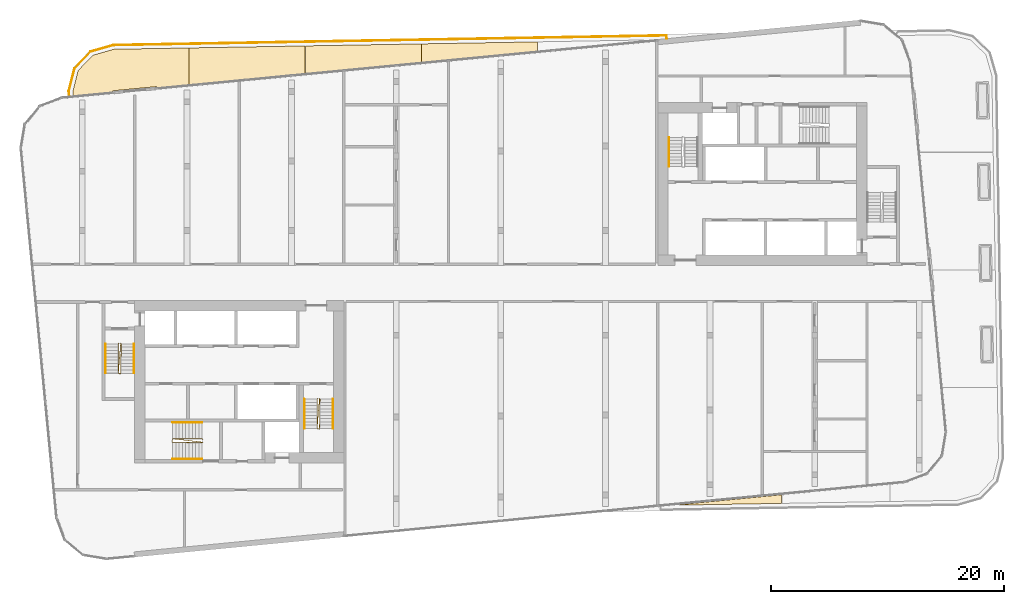
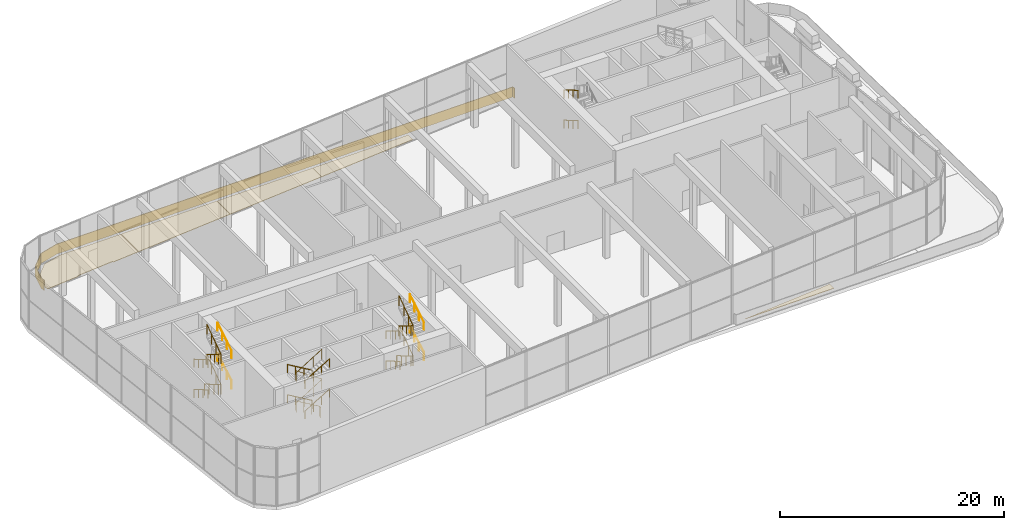
# One storey, part 22 of 24: 18 railings, 5 coverings.
"""IFC4 building model written with IfcOpenShell, lengths in metres."""

from ifc_helpers import new_model, si_unit, direction, frame, origin, origin_2d, place, context, subcontext, project, spatial, polyline, circle, outline, extrude, material, layer, layer_set, type_object, element, save


model = new_model("IFC4")

# Units and contexts
model_context = context("Model", 3, precision=1e-05, world=origin(), true_north=direction((0.0, 1.0)))
body_context = subcontext(model_context, "Body", "Model", "MODEL_VIEW")
ifc_project = project(units=[si_unit("LENGTHUNIT", "METRE"), si_unit("AREAUNIT", "SQUARE_METRE"), si_unit("VOLUMEUNIT", "CUBIC_METRE"), si_unit("PLANEANGLEUNIT", "RADIAN"), si_unit("MASSUNIT", "GRAM", prefix="KILO")], contexts=[model_context])

# Site, building, storey
site_placement = place(None, origin())
site = spatial("IfcSite", under=ifc_project, at=site_placement, CompositionType="ELEMENT")
building_placement = place(site_placement, origin())
building = spatial("IfcBuilding", under=site, at=building_placement, Name="Kajstack Hotel Tower", CompositionType="ELEMENT")
storey_placement = place(building_placement, frame((0.0, 0.0, 261.89990234375)))
storey = spatial("IfcBuildingStorey", under=building, at=storey_placement, Name="L65", CompositionType="ELEMENT", Elevation=261.89990234375)

# Railing
ifc_material_1 = material(Name="Steel S355J2", Category="steel")
railing_type_1 = type_object("IfcRailingType", Name="BALUSTRADE-TERRACE", PredefinedType="BALUSTRADE", material=ifc_material_1)
railing_1_placement = place(storey_placement, frame((-37.120849609375, 16.0625, 0.0)))
element("IfcRailing", 1, at=railing_1_placement, inside=storey, type_object=railing_type_1, Name="Terrace guard L65-01-01", PredefinedType="BALUSTRADE", context=body_context, shape_type="SweptSolid", body=[
    extrude(outline(polyline([(-0.071044921875, 0.42529296875), (0.42138671875, 2.40087890625), (1.826171875, 3.85546875), (3.781982421875, 4.41650390625), (51.388671875, 5.247314453125), (51.4169921875, 4.950927734375), (51.357421875, 4.945068359375), (51.333984375, 5.186279296875), (3.790771484375, 4.3564453125), (1.8583984375, 3.80224609375), (0.4755859375, 2.37060546875), (-0.010498046875, 0.4208984375), (0.02978515625, 0.0029296875), (-0.02978515625, -0.0029296875), (-0.071044921875, 0.42529296875)])), origin(), (0.0, 0.0, 1.0), 1.10009765625),
])

# Coverings
ifc_material_2 = material(Name="Timber larch", Category="wood")
ifc_layer = layer(ifc_material_2, 0.050048828125)
ifc_layer_set = layer_set([ifc_layer], Name="DECK-LARCH")
covering_type = type_object("IfcCoveringType", Name="DECK-LARCH", PredefinedType="FLOORING", material=ifc_layer_set)
covering_1_placement = place(storey_placement, origin())
element("IfcCovering", 2, at=covering_1_placement, inside=storey, type_object=covering_type, Name="Larch decking L65-01-01", PredefinedType="FLOORING", context=body_context, shape_type="SweptSolid", body=[
    extrude(outline(polyline([(-29.608642578125, 16.785888671875), (-26.824462890625, 17.05419921875), (-26.824462890625, 20.21240234375), (-33.2822265625, 20.099853515625), (-35.092041015625, 19.580810546875), (-36.35546875, 18.2724609375), (-36.79736328125, 16.49951171875), (-36.79736328125, 16.35546875), (-36.7734375, 16.106201171875), (-36.668701171875, 16.106201171875), (-33.39111328125, 16.421875), (-33.40087890625, 16.521240234375), (-29.6181640625, 16.885498046875), (-29.608642578125, 16.785888671875)])), origin(), (0.0, 0.0, 1.0), 0.050048828125),
])
covering_2_placement = place(storey_placement, origin())
element("IfcCovering", 3, at=covering_2_placement, inside=storey, type_object=covering_type, Name="Larch decking L65-01-02", PredefinedType="FLOORING", context=body_context, shape_type="SweptSolid", body=[
    extrude(outline(polyline([(-26.804443359375, 20.212890625), (-26.804443359375, 17.055908203125), (-16.831298828125, 18.016357421875), (-16.831298828125, 20.386962890625), (-26.804443359375, 20.212890625)])), origin(), (0.0, 0.0, 1.0), 0.050048828125),
])
covering_3_placement = place(storey_placement, origin())
element("IfcCovering", 4, at=covering_3_placement, inside=storey, type_object=covering_type, Name="Larch decking L65-01-03", PredefinedType="FLOORING", context=body_context, shape_type="SweptSolid", body=[
    extrude(outline(polyline([(-16.811279296875, 20.38720703125), (-16.811279296875, 18.018310546875), (-6.83837890625, 18.978515625), (-6.83837890625, 20.561279296875), (-16.811279296875, 20.38720703125)])), origin(), (0.0, 0.0, 1.0), 0.050048828125),
])
covering_4_placement = place(storey_placement, origin())
element("IfcCovering", 5, at=covering_4_placement, inside=storey, type_object=covering_type, Name="Larch decking L65-01-04", PredefinedType="FLOORING", context=body_context, shape_type="SweptSolid", body=[
    extrude(outline(polyline([(-6.818359375, 20.561767578125), (-6.818359375, 18.98046875), (3.15478515625, 19.94091796875), (3.15478515625, 20.73583984375), (-6.818359375, 20.561767578125)])), origin(), (0.0, 0.0, 1.0), 0.050048828125),
])
covering_5_placement = place(storey_placement, origin())
element("IfcCovering", 6, at=covering_5_placement, inside=storey, type_object=covering_type, Name="Larch decking L65-02-01", PredefinedType="FLOORING", context=body_context, shape_type="SweptSolid", body=[
    extrude(outline(polyline([(24.14697265625, -18.9638671875), (24.14697265625, -18.22314453125), (14.866943359375, -19.116455078125), (15.403076171875, -19.116455078125), (24.14697265625, -18.9638671875)])), origin(), (0.0, 0.0, 1.0), 0.050048828125),
])

# Railings
railing_type_2 = type_object("IfcRailingType", Name="Stair guard 1100", PredefinedType="GUARDRAIL", material=ifc_material_1)
railing_2_placement = place(storey_placement, frame((-32.85009765625, -5.199951171875, 0.0)))
element("IfcRailing", 7, at=railing_2_placement, inside=storey, type_object=railing_type_2, Name="L65 W1 stair guard 1", PredefinedType="GUARDRAIL", context=body_context, shape_type="SweptSolid", body=[
    extrude(circle(Radius=0.02392578125, at=origin_2d()), frame((0.0, 0.0, 1.076171875), z_axis=(-0.277450376394, -0.278810427259, 0.919394384522), x_axis=(0.708833529934, -0.705375805398, 0.0)), (0.0, 0.0, 1.0), 0.179443359375),
    extrude(circle(Radius=0.02392578125, at=origin_2d()), frame((-0.0498046875, -0.050048828125, 1.2412109375), z_axis=(0.0, -0.86152411907, 0.507716645641), x_axis=(1.0, 0.0, 0.0)), (0.0, 0.0, 1.0), 2.925048828125),
    extrude(circle(Radius=0.02392578125, at=origin_2d()), frame((-0.0498046875, -2.570068359375, 2.72607421875), z_axis=(0.970072785993, -0.242814311512, 0.0), x_axis=(0.242814311512, 0.970072785993, 0.0)), (0.0, 0.0, 1.0), 0.2060546875),
    extrude(circle(Radius=0.02392578125, at=origin_2d()), frame((0.150146484375, -2.6201171875, 2.72607421875), z_axis=(0.016385308676, 0.841405582595, 0.540155687962), x_axis=(-0.999810440751, 0.019470042781, 0.0)), (0.0, 0.0, 1.0), 3.054443359375),
    extrude(circle(Radius=0.02392578125, at=origin_2d()), frame((0.2001953125, -0.050048828125, 4.3759765625), z_axis=(-0.707106781187, 0.707106781187, 0.0), x_axis=(-0.707106781187, -0.707106781187, 0.0)), (0.0, 0.0, 1.0), 0.07080078125),
    extrude(circle(Radius=0.02392578125, at=origin_2d()), frame((0.150146484375, 0.0, 4.3759765625), z_axis=(-0.065327422454, -0.839684708398, 0.53913070619), x_axis=(0.996987254287, -0.077565551559, 0.0)), (0.0, 0.0, 1.0), 3.060791015625),
    extrude(circle(Radius=0.02392578125, at=origin_2d()), frame((-0.0498046875, -2.570068359375, 6.0263671875), z_axis=(0.970072785993, -0.242814311512, 0.0), x_axis=(0.242814311512, 0.970072785993, 0.0)), (0.0, 0.0, 1.0), 0.2060546875),
    extrude(circle(Radius=0.02392578125, at=origin_2d()), frame((0.150146484375, -2.6201171875, 6.0263671875), z_axis=(0.016385308676, 0.841405582595, 0.540155687962), x_axis=(-0.999810440751, 0.019470042781, 0.0)), (0.0, 0.0, 1.0), 3.054443359375),
    extrude(circle(Radius=0.02099609375, at=origin_2d()), origin(), (0.0, 0.0, 1.0), 1.052001953125),
    extrude(circle(Radius=0.02099609375, at=origin_2d()), frame((-0.0498046875, -0.050048828125, 0.1650390625)), (0.0, 0.0, 1.0), 1.052001953125),
    extrude(circle(Radius=0.02099609375, at=origin_2d()), frame((-0.0498046875, -0.89013671875, 0.66015625)), (0.0, 0.0, 1.0), 1.052001953125),
    extrude(circle(Radius=0.02099609375, at=origin_2d()), frame((-0.0498046875, -1.72998046875, 1.155029296875)), (0.0, 0.0, 1.0), 1.052001953125),
    extrude(circle(Radius=0.02099609375, at=origin_2d()), frame((-0.0498046875, -2.570068359375, 1.650146484375)), (0.0, 0.0, 1.0), 1.052001953125),
    extrude(circle(Radius=0.02099609375, at=origin_2d()), frame((0.150146484375, -2.6201171875, 1.650146484375)), (0.0, 0.0, 1.0), 1.052001953125),
    extrude(circle(Radius=0.02099609375, at=origin_2d()), frame((0.166748046875, -1.763427734375, 2.2001953125)), (0.0, 0.0, 1.0), 1.052001953125),
    extrude(circle(Radius=0.02099609375, at=origin_2d()), frame((0.18359375, -0.90673828125, 2.75)), (0.0, 0.0, 1.0), 1.052001953125),
    extrude(circle(Radius=0.02099609375, at=origin_2d()), frame((0.2001953125, -0.050048828125, 3.300048828125)), (0.0, 0.0, 1.0), 1.052001953125),
    extrude(circle(Radius=0.02099609375, at=origin_2d()), frame((0.150146484375, 0.0, 3.300048828125)), (0.0, 0.0, 1.0), 1.052001953125),
    extrude(circle(Radius=0.02099609375, at=origin_2d()), frame((0.08349609375, -0.856689453125, 3.85009765625)), (0.0, 0.0, 1.0), 1.052001953125),
    extrude(circle(Radius=0.02099609375, at=origin_2d()), frame((0.016845703125, -1.71337890625, 4.400146484375)), (0.0, 0.0, 1.0), 1.052001953125),
    extrude(circle(Radius=0.02099609375, at=origin_2d()), frame((-0.0498046875, -2.570068359375, 4.9501953125)), (0.0, 0.0, 1.0), 1.052001953125),
    extrude(circle(Radius=0.02099609375, at=origin_2d()), frame((0.150146484375, -2.6201171875, 4.9501953125)), (0.0, 0.0, 1.0), 1.052001953125),
    extrude(circle(Radius=0.02099609375, at=origin_2d()), frame((0.166748046875, -1.763427734375, 5.500244140625)), (0.0, 0.0, 1.0), 1.052001953125),
    extrude(circle(Radius=0.02099609375, at=origin_2d()), frame((0.18359375, -0.90673828125, 6.050048828125)), (0.0, 0.0, 1.0), 1.052001953125),
    extrude(circle(Radius=0.02099609375, at=origin_2d()), frame((0.2001953125, -0.050048828125, 6.60009765625)), (0.0, 0.0, 1.0), 1.052001953125),
])
railing_3_placement = place(storey_placement, frame((-15.75, -9.949951171875, 0.0)))
element("IfcRailing", 8, at=railing_3_placement, inside=storey, type_object=railing_type_2, Name="L65 W2 stair guard 1", PredefinedType="GUARDRAIL", context=body_context, shape_type="SweptSolid", body=[
    extrude(circle(Radius=0.02392578125, at=origin_2d()), frame((0.0, 0.0, 1.076171875), z_axis=(-0.278705021027, -0.278705021027, 0.919046801044), x_axis=(0.707106781187, -0.707106781187, 0.0)), (0.0, 0.0, 1.0), 0.1796875),
    extrude(circle(Radius=0.02392578125, at=origin_2d()), frame((-0.050048828125, -0.050048828125, 1.2412109375), z_axis=(0.0, -0.86152411907, 0.507716645641), x_axis=(1.0, 0.0, 0.0)), (0.0, 0.0, 1.0), 2.925048828125),
    extrude(circle(Radius=0.02392578125, at=origin_2d()), frame((-0.050048828125, -2.570068359375, 2.72607421875), z_axis=(0.970072785993, -0.242814311512, 0.0), x_axis=(0.242814311512, 0.970072785993, 0.0)), (0.0, 0.0, 1.0), 0.2060546875),
    extrude(circle(Radius=0.02392578125, at=origin_2d()), frame((0.14990234375, -2.6201171875, 2.72607421875), z_axis=(0.016385308676, 0.841405582595, 0.540155687962), x_axis=(-0.999810440751, 0.019470042781, 0.0)), (0.0, 0.0, 1.0), 3.054443359375),
    extrude(circle(Radius=0.02392578125, at=origin_2d()), frame((0.199951171875, -0.050048828125, 4.3759765625), z_axis=(-0.707106781187, 0.707106781187, 0.0), x_axis=(-0.707106781187, -0.707106781187, 0.0)), (0.0, 0.0, 1.0), 0.07080078125),
    extrude(circle(Radius=0.02392578125, at=origin_2d()), frame((0.14990234375, 0.0, 4.3759765625), z_axis=(-0.065327422454, -0.839684708398, 0.53913070619), x_axis=(0.996987254287, -0.077565551559, 0.0)), (0.0, 0.0, 1.0), 3.060791015625),
    extrude(circle(Radius=0.02392578125, at=origin_2d()), frame((-0.050048828125, -2.570068359375, 6.0263671875), z_axis=(0.970072785993, -0.242814311512, 0.0), x_axis=(0.242814311512, 0.970072785993, 0.0)), (0.0, 0.0, 1.0), 0.2060546875),
    extrude(circle(Radius=0.02392578125, at=origin_2d()), frame((0.14990234375, -2.6201171875, 6.0263671875), z_axis=(0.016385308676, 0.841405582595, 0.540155687962), x_axis=(-0.999810440751, 0.019470042781, 0.0)), (0.0, 0.0, 1.0), 3.054443359375),
    extrude(circle(Radius=0.02099609375, at=origin_2d()), origin(), (0.0, 0.0, 1.0), 1.052001953125),
    extrude(circle(Radius=0.02099609375, at=origin_2d()), frame((-0.050048828125, -0.050048828125, 0.1650390625)), (0.0, 0.0, 1.0), 1.052001953125),
    extrude(circle(Radius=0.02099609375, at=origin_2d()), frame((-0.050048828125, -0.89013671875, 0.66015625)), (0.0, 0.0, 1.0), 1.052001953125),
    extrude(circle(Radius=0.02099609375, at=origin_2d()), frame((-0.050048828125, -1.72998046875, 1.155029296875)), (0.0, 0.0, 1.0), 1.052001953125),
    extrude(circle(Radius=0.02099609375, at=origin_2d()), frame((-0.050048828125, -2.570068359375, 1.650146484375)), (0.0, 0.0, 1.0), 1.052001953125),
    extrude(circle(Radius=0.02099609375, at=origin_2d()), frame((0.14990234375, -2.6201171875, 1.650146484375)), (0.0, 0.0, 1.0), 1.052001953125),
    extrude(circle(Radius=0.02099609375, at=origin_2d()), frame((0.16650390625, -1.763427734375, 2.2001953125)), (0.0, 0.0, 1.0), 1.052001953125),
    extrude(circle(Radius=0.02099609375, at=origin_2d()), frame((0.183349609375, -0.90673828125, 2.75)), (0.0, 0.0, 1.0), 1.052001953125),
    extrude(circle(Radius=0.02099609375, at=origin_2d()), frame((0.199951171875, -0.050048828125, 3.300048828125)), (0.0, 0.0, 1.0), 1.052001953125),
    extrude(circle(Radius=0.02099609375, at=origin_2d()), frame((0.14990234375, 0.0, 3.300048828125)), (0.0, 0.0, 1.0), 1.052001953125),
    extrude(circle(Radius=0.02099609375, at=origin_2d()), frame((0.083251953125, -0.856689453125, 3.85009765625)), (0.0, 0.0, 1.0), 1.052001953125),
    extrude(circle(Radius=0.02099609375, at=origin_2d()), frame((0.0166015625, -1.71337890625, 4.400146484375)), (0.0, 0.0, 1.0), 1.052001953125),
    extrude(circle(Radius=0.02099609375, at=origin_2d()), frame((-0.050048828125, -2.570068359375, 4.9501953125)), (0.0, 0.0, 1.0), 1.052001953125),
    extrude(circle(Radius=0.02099609375, at=origin_2d()), frame((0.14990234375, -2.6201171875, 4.9501953125)), (0.0, 0.0, 1.0), 1.052001953125),
    extrude(circle(Radius=0.02099609375, at=origin_2d()), frame((0.16650390625, -1.763427734375, 5.500244140625)), (0.0, 0.0, 1.0), 1.052001953125),
    extrude(circle(Radius=0.02099609375, at=origin_2d()), frame((0.183349609375, -0.90673828125, 6.050048828125)), (0.0, 0.0, 1.0), 1.052001953125),
    extrude(circle(Radius=0.02099609375, at=origin_2d()), frame((0.199951171875, -0.050048828125, 6.60009765625)), (0.0, 0.0, 1.0), 1.052001953125),
])
railing_4_placement = place(storey_placement, frame((-25.64990234375, -13.449951171875, 0.0)))
element("IfcRailing", 9, at=railing_4_placement, inside=storey, type_object=railing_type_2, Name="L65 W3 stair guard 1", PredefinedType="GUARDRAIL", context=body_context, shape_type="SweptSolid", body=[
    extrude(circle(Radius=0.02392578125, at=origin_2d()), frame((0.0, 0.0, 1.076171875), z_axis=(-0.278705021027, 0.278705021027, 0.919046801044), x_axis=(-0.707106781187, -0.707106781187, 0.0)), (0.0, 0.0, 1.0), 0.1796875),
    extrude(circle(Radius=0.02392578125, at=origin_2d()), frame((-0.050048828125, 0.050048828125, 1.2412109375), z_axis=(-0.86152411907, 0.0, 0.507716645641), x_axis=(0.0, -1.0, 0.0)), (0.0, 0.0, 1.0), 2.925048828125),
    extrude(circle(Radius=0.02392578125, at=origin_2d()), frame((-2.570068359375, 0.050048828125, 2.72607421875), z_axis=(-0.164529134168, -0.986372223864, 0.0), x_axis=(0.986372223864, -0.164529134168, 0.0)), (0.0, 0.0, 1.0), 0.30419921875),
    extrude(circle(Radius=0.02392578125, at=origin_2d()), frame((-2.6201171875, -0.25, 2.72607421875), z_axis=(0.841405582595, -0.016385308676, 0.540155687962), x_axis=(0.019470042781, 0.999810440751, 0.0)), (0.0, 0.0, 1.0), 3.054443359375),
    extrude(circle(Radius=0.02392578125, at=origin_2d()), frame((-0.050048828125, -0.300048828125, 4.3759765625), z_axis=(0.707106781187, 0.707106781187, 0.0), x_axis=(-0.707106781187, 0.707106781187, 0.0)), (0.0, 0.0, 1.0), 0.07080078125),
    extrude(circle(Radius=0.02392578125, at=origin_2d()), frame((0.0, -0.25, 4.3759765625), z_axis=(-0.837450686566, 0.097770199847, 0.537696322837), x_axis=(-0.115959822279, -0.993253904909, 0.0)), (0.0, 0.0, 1.0), 3.06884765625),
    extrude(circle(Radius=0.02392578125, at=origin_2d()), frame((-2.570068359375, 0.050048828125, 6.0263671875), z_axis=(-0.164529134168, -0.986372223864, 0.0), x_axis=(0.986372223864, -0.164529134168, 0.0)), (0.0, 0.0, 1.0), 0.30419921875),
    extrude(circle(Radius=0.02392578125, at=origin_2d()), frame((-2.6201171875, -0.25, 6.0263671875), z_axis=(0.841405582595, -0.016385308676, 0.540155687962), x_axis=(0.019470042781, 0.999810440751, 0.0)), (0.0, 0.0, 1.0), 3.054443359375),
    extrude(circle(Radius=0.02099609375, at=origin_2d()), origin(), (0.0, 0.0, 1.0), 1.052001953125),
    extrude(circle(Radius=0.02099609375, at=origin_2d()), frame((-0.050048828125, 0.050048828125, 0.1650390625)), (0.0, 0.0, 1.0), 1.052001953125),
    extrude(circle(Radius=0.02099609375, at=origin_2d()), frame((-0.89013671875, 0.050048828125, 0.66015625)), (0.0, 0.0, 1.0), 1.052001953125),
    extrude(circle(Radius=0.02099609375, at=origin_2d()), frame((-1.72998046875, 0.050048828125, 1.155029296875)), (0.0, 0.0, 1.0), 1.052001953125),
    extrude(circle(Radius=0.02099609375, at=origin_2d()), frame((-2.570068359375, 0.050048828125, 1.650146484375)), (0.0, 0.0, 1.0), 1.052001953125),
    extrude(circle(Radius=0.02099609375, at=origin_2d()), frame((-2.6201171875, -0.25, 1.650146484375)), (0.0, 0.0, 1.0), 1.052001953125),
    extrude(circle(Radius=0.02099609375, at=origin_2d()), frame((-1.763427734375, -0.2666015625, 2.2001953125)), (0.0, 0.0, 1.0), 1.052001953125),
    extrude(circle(Radius=0.02099609375, at=origin_2d()), frame((-0.90673828125, -0.283447265625, 2.75)), (0.0, 0.0, 1.0), 1.052001953125),
    extrude(circle(Radius=0.02099609375, at=origin_2d()), frame((-0.050048828125, -0.300048828125, 3.300048828125)), (0.0, 0.0, 1.0), 1.052001953125),
    extrude(circle(Radius=0.02099609375, at=origin_2d()), frame((0.0, -0.25, 3.300048828125)), (0.0, 0.0, 1.0), 1.052001953125),
    extrude(circle(Radius=0.02099609375, at=origin_2d()), frame((-0.856689453125, -0.14990234375, 3.85009765625)), (0.0, 0.0, 1.0), 1.052001953125),
    extrude(circle(Radius=0.02099609375, at=origin_2d()), frame((-1.71337890625, -0.050048828125, 4.400146484375)), (0.0, 0.0, 1.0), 1.052001953125),
    extrude(circle(Radius=0.02099609375, at=origin_2d()), frame((-2.570068359375, 0.050048828125, 4.9501953125)), (0.0, 0.0, 1.0), 1.052001953125),
    extrude(circle(Radius=0.02099609375, at=origin_2d()), frame((-2.6201171875, -0.25, 4.9501953125)), (0.0, 0.0, 1.0), 1.052001953125),
    extrude(circle(Radius=0.02099609375, at=origin_2d()), frame((-1.763427734375, -0.2666015625, 5.500244140625)), (0.0, 0.0, 1.0), 1.052001953125),
    extrude(circle(Radius=0.02099609375, at=origin_2d()), frame((-0.90673828125, -0.283447265625, 6.050048828125)), (0.0, 0.0, 1.0), 1.052001953125),
    extrude(circle(Radius=0.02099609375, at=origin_2d()), frame((-0.050048828125, -0.300048828125, 6.60009765625)), (0.0, 0.0, 1.0), 1.052001953125),
])
railing_type_3 = type_object("IfcRailingType", Name="Stair handrail 900", PredefinedType="HANDRAIL", material=ifc_material_1)
railing_5_placement = place(storey_placement, frame((-34.0, -5.25, 0.1650390625)))
element("IfcRailing", 10, at=railing_5_placement, inside=storey, type_object=railing_type_3, Name="L65 W1 stair handrail 1", PredefinedType="HANDRAIL", context=body_context, shape_type="SweptSolid", body=[
    extrude(circle(Radius=0.02392578125, at=origin_2d()), frame((0.0, 0.0, 0.8759765625), z_axis=(0.0, -0.86152411907, 0.507716645641), x_axis=(1.0, 0.0, 0.0)), (0.0, 0.0, 1.0), 2.925048828125),
    extrude(circle(Radius=0.02099609375, at=origin_2d()), origin(), (0.0, 0.0, 1.0), 0.851806640625),
    extrude(circle(Radius=0.02099609375, at=origin_2d()), frame((0.0, -0.840087890625, 0.4951171875)), (0.0, 0.0, 1.0), 0.851806640625),
    extrude(circle(Radius=0.02099609375, at=origin_2d()), frame((0.0, -1.679931640625, 0.989990234375)), (0.0, 0.0, 1.0), 0.851806640625),
    extrude(circle(Radius=0.02099609375, at=origin_2d()), frame((0.0, -2.52001953125, 1.485107421875)), (0.0, 0.0, 1.0), 0.851806640625),
])
railing_6_placement = place(storey_placement, frame((-31.550048828125, -7.77001953125, 1.815185546875)))
element("IfcRailing", 11, at=railing_6_placement, inside=storey, type_object=railing_type_3, Name="L65 W1 stair handrail 2", PredefinedType="HANDRAIL", context=body_context, shape_type="SweptSolid", body=[
    extrude(circle(Radius=0.02392578125, at=origin_2d()), frame((0.0, 0.0, 0.8759765625), z_axis=(0.0, 0.861560626758, 0.507654692109), x_axis=(-1.0, 0.0, 0.0)), (0.0, 0.0, 1.0), 2.925048828125),
    extrude(circle(Radius=0.02099609375, at=origin_2d()), origin(), (0.0, 0.0, 1.0), 0.851806640625),
    extrude(circle(Radius=0.02099609375, at=origin_2d()), frame((0.0, 0.840087890625, 0.494873046875)), (0.0, 0.0, 1.0), 0.851806640625),
    extrude(circle(Radius=0.02099609375, at=origin_2d()), frame((0.0, 1.679931640625, 0.989990234375)), (0.0, 0.0, 1.0), 0.851806640625),
    extrude(circle(Radius=0.02099609375, at=origin_2d()), frame((0.0, 2.52001953125, 1.48486328125)), (0.0, 0.0, 1.0), 0.851806640625),
])
railing_7_placement = place(storey_placement, frame((-34.0, -5.25, 3.465087890625)))
element("IfcRailing", 12, at=railing_7_placement, inside=storey, type_object=railing_type_3, Name="L65 W1 stair handrail 3", PredefinedType="HANDRAIL", context=body_context, shape_type="SweptSolid", body=[
    extrude(circle(Radius=0.02392578125, at=origin_2d()), frame((0.0, 0.0, 0.8759765625), z_axis=(0.0, -0.86152411907, 0.507716645641), x_axis=(1.0, 0.0, 0.0)), (0.0, 0.0, 1.0), 2.925048828125),
    extrude(circle(Radius=0.02099609375, at=origin_2d()), origin(), (0.0, 0.0, 1.0), 0.851806640625),
    extrude(circle(Radius=0.02099609375, at=origin_2d()), frame((0.0, -0.840087890625, 0.4951171875)), (0.0, 0.0, 1.0), 0.851806640625),
    extrude(circle(Radius=0.02099609375, at=origin_2d()), frame((0.0, -1.679931640625, 0.989990234375)), (0.0, 0.0, 1.0), 0.851806640625),
    extrude(circle(Radius=0.02099609375, at=origin_2d()), frame((0.0, -2.52001953125, 1.485107421875)), (0.0, 0.0, 1.0), 0.851806640625),
])
railing_8_placement = place(storey_placement, frame((-31.550048828125, -7.77001953125, 5.114990234375)))
element("IfcRailing", 13, at=railing_8_placement, inside=storey, type_object=railing_type_3, Name="L65 W1 stair handrail 4", PredefinedType="HANDRAIL", context=body_context, shape_type="SweptSolid", body=[
    extrude(circle(Radius=0.02392578125, at=origin_2d()), frame((0.0, 0.0, 0.8759765625), z_axis=(0.0, 0.86152411907, 0.507716645641), x_axis=(-1.0, 0.0, 0.0)), (0.0, 0.0, 1.0), 2.925048828125),
    extrude(circle(Radius=0.02099609375, at=origin_2d()), origin(), (0.0, 0.0, 1.0), 0.851806640625),
    extrude(circle(Radius=0.02099609375, at=origin_2d()), frame((0.0, 0.840087890625, 0.4951171875)), (0.0, 0.0, 1.0), 0.851806640625),
    extrude(circle(Radius=0.02099609375, at=origin_2d()), frame((0.0, 1.679931640625, 0.989990234375)), (0.0, 0.0, 1.0), 0.851806640625),
    extrude(circle(Radius=0.02099609375, at=origin_2d()), frame((0.0, 2.52001953125, 1.485107421875)), (0.0, 0.0, 1.0), 0.851806640625),
])
railing_9_placement = place(storey_placement, frame((-16.89990234375, -10.0, 0.1650390625)))
element("IfcRailing", 14, at=railing_9_placement, inside=storey, type_object=railing_type_3, Name="L65 W2 stair handrail 1", PredefinedType="HANDRAIL", context=body_context, shape_type="SweptSolid", body=[
    extrude(circle(Radius=0.02392578125, at=origin_2d()), frame((0.0, 0.0, 0.8759765625), z_axis=(0.0, -0.86152411907, 0.507716645641), x_axis=(1.0, 0.0, 0.0)), (0.0, 0.0, 1.0), 2.925048828125),
    extrude(circle(Radius=0.02099609375, at=origin_2d()), origin(), (0.0, 0.0, 1.0), 0.851806640625),
    extrude(circle(Radius=0.02099609375, at=origin_2d()), frame((0.0, -0.840087890625, 0.4951171875)), (0.0, 0.0, 1.0), 0.851806640625),
    extrude(circle(Radius=0.02099609375, at=origin_2d()), frame((0.0, -1.679931640625, 0.989990234375)), (0.0, 0.0, 1.0), 0.851806640625),
    extrude(circle(Radius=0.02099609375, at=origin_2d()), frame((0.0, -2.52001953125, 1.485107421875)), (0.0, 0.0, 1.0), 0.851806640625),
])
railing_10_placement = place(storey_placement, frame((-14.449951171875, -12.52001953125, 1.815185546875)))
element("IfcRailing", 15, at=railing_10_placement, inside=storey, type_object=railing_type_3, Name="L65 W2 stair handrail 2", PredefinedType="HANDRAIL", context=body_context, shape_type="SweptSolid", body=[
    extrude(circle(Radius=0.02392578125, at=origin_2d()), frame((0.0, 0.0, 0.8759765625), z_axis=(0.0, 0.861560626758, 0.507654692109), x_axis=(-1.0, 0.0, 0.0)), (0.0, 0.0, 1.0), 2.925048828125),
    extrude(circle(Radius=0.02099609375, at=origin_2d()), origin(), (0.0, 0.0, 1.0), 0.851806640625),
    extrude(circle(Radius=0.02099609375, at=origin_2d()), frame((0.0, 0.840087890625, 0.494873046875)), (0.0, 0.0, 1.0), 0.851806640625),
    extrude(circle(Radius=0.02099609375, at=origin_2d()), frame((0.0, 1.679931640625, 0.989990234375)), (0.0, 0.0, 1.0), 0.851806640625),
    extrude(circle(Radius=0.02099609375, at=origin_2d()), frame((0.0, 2.52001953125, 1.48486328125)), (0.0, 0.0, 1.0), 0.851806640625),
])
railing_11_placement = place(storey_placement, frame((-16.89990234375, -10.0, 3.465087890625)))
element("IfcRailing", 16, at=railing_11_placement, inside=storey, type_object=railing_type_3, Name="L65 W2 stair handrail 3", PredefinedType="HANDRAIL", context=body_context, shape_type="SweptSolid", body=[
    extrude(circle(Radius=0.02392578125, at=origin_2d()), frame((0.0, 0.0, 0.8759765625), z_axis=(0.0, -0.86152411907, 0.507716645641), x_axis=(1.0, 0.0, 0.0)), (0.0, 0.0, 1.0), 2.925048828125),
    extrude(circle(Radius=0.02099609375, at=origin_2d()), origin(), (0.0, 0.0, 1.0), 0.851806640625),
    extrude(circle(Radius=0.02099609375, at=origin_2d()), frame((0.0, -0.840087890625, 0.4951171875)), (0.0, 0.0, 1.0), 0.851806640625),
    extrude(circle(Radius=0.02099609375, at=origin_2d()), frame((0.0, -1.679931640625, 0.989990234375)), (0.0, 0.0, 1.0), 0.851806640625),
    extrude(circle(Radius=0.02099609375, at=origin_2d()), frame((0.0, -2.52001953125, 1.485107421875)), (0.0, 0.0, 1.0), 0.851806640625),
])
railing_12_placement = place(storey_placement, frame((-14.449951171875, -12.52001953125, 5.114990234375)))
element("IfcRailing", 17, at=railing_12_placement, inside=storey, type_object=railing_type_3, Name="L65 W2 stair handrail 4", PredefinedType="HANDRAIL", context=body_context, shape_type="SweptSolid", body=[
    extrude(circle(Radius=0.02392578125, at=origin_2d()), frame((0.0, 0.0, 0.8759765625), z_axis=(0.0, 0.86152411907, 0.507716645641), x_axis=(-1.0, 0.0, 0.0)), (0.0, 0.0, 1.0), 2.925048828125),
    extrude(circle(Radius=0.02099609375, at=origin_2d()), origin(), (0.0, 0.0, 1.0), 0.851806640625),
    extrude(circle(Radius=0.02099609375, at=origin_2d()), frame((0.0, 0.840087890625, 0.4951171875)), (0.0, 0.0, 1.0), 0.851806640625),
    extrude(circle(Radius=0.02099609375, at=origin_2d()), frame((0.0, 1.679931640625, 0.989990234375)), (0.0, 0.0, 1.0), 0.851806640625),
    extrude(circle(Radius=0.02099609375, at=origin_2d()), frame((0.0, 2.52001953125, 1.485107421875)), (0.0, 0.0, 1.0), 0.851806640625),
])
railing_13_placement = place(storey_placement, frame((-25.699951171875, -12.0, 0.1650390625)))
element("IfcRailing", 18, at=railing_13_placement, inside=storey, type_object=railing_type_3, Name="L65 W3 stair handrail 1", PredefinedType="HANDRAIL", context=body_context, shape_type="SweptSolid", body=[
    extrude(circle(Radius=0.02392578125, at=origin_2d()), frame((0.0, 0.0, 0.8759765625), z_axis=(-0.86152411907, 0.0, 0.507716645641), x_axis=(0.0, -1.0, 0.0)), (0.0, 0.0, 1.0), 2.925048828125),
    extrude(circle(Radius=0.02099609375, at=origin_2d()), origin(), (0.0, 0.0, 1.0), 0.851806640625),
    extrude(circle(Radius=0.02099609375, at=origin_2d()), frame((-0.840087890625, 0.0, 0.4951171875)), (0.0, 0.0, 1.0), 0.851806640625),
    extrude(circle(Radius=0.02099609375, at=origin_2d()), frame((-1.679931640625, 0.0, 0.989990234375)), (0.0, 0.0, 1.0), 0.851806640625),
    extrude(circle(Radius=0.02099609375, at=origin_2d()), frame((-2.52001953125, 0.0, 1.485107421875)), (0.0, 0.0, 1.0), 0.851806640625),
])
railing_14_placement = place(storey_placement, frame((-28.219970703125, -15.14990234375, 1.815185546875)))
element("IfcRailing", 19, at=railing_14_placement, inside=storey, type_object=railing_type_3, Name="L65 W3 stair handrail 2", PredefinedType="HANDRAIL", context=body_context, shape_type="SweptSolid", body=[
    extrude(circle(Radius=0.02392578125, at=origin_2d()), frame((0.0, 0.0, 0.8759765625), z_axis=(0.861560626758, 0.0, 0.507654692109), x_axis=(0.0, 1.0, 0.0)), (0.0, 0.0, 1.0), 2.925048828125),
    extrude(circle(Radius=0.02099609375, at=origin_2d()), origin(), (0.0, 0.0, 1.0), 0.851806640625),
    extrude(circle(Radius=0.02099609375, at=origin_2d()), frame((0.840087890625, 0.0, 0.494873046875)), (0.0, 0.0, 1.0), 0.851806640625),
    extrude(circle(Radius=0.02099609375, at=origin_2d()), frame((1.679931640625, 0.0, 0.989990234375)), (0.0, 0.0, 1.0), 0.851806640625),
    extrude(circle(Radius=0.02099609375, at=origin_2d()), frame((2.52001953125, 0.0, 1.48486328125)), (0.0, 0.0, 1.0), 0.851806640625),
])
railing_15_placement = place(storey_placement, frame((-25.699951171875, -12.0, 3.465087890625)))
element("IfcRailing", 20, at=railing_15_placement, inside=storey, type_object=railing_type_3, Name="L65 W3 stair handrail 3", PredefinedType="HANDRAIL", context=body_context, shape_type="SweptSolid", body=[
    extrude(circle(Radius=0.02392578125, at=origin_2d()), frame((0.0, 0.0, 0.8759765625), z_axis=(-0.86152411907, 0.0, 0.507716645641), x_axis=(0.0, -1.0, 0.0)), (0.0, 0.0, 1.0), 2.925048828125),
    extrude(circle(Radius=0.02099609375, at=origin_2d()), origin(), (0.0, 0.0, 1.0), 0.851806640625),
    extrude(circle(Radius=0.02099609375, at=origin_2d()), frame((-0.840087890625, 0.0, 0.4951171875)), (0.0, 0.0, 1.0), 0.851806640625),
    extrude(circle(Radius=0.02099609375, at=origin_2d()), frame((-1.679931640625, 0.0, 0.989990234375)), (0.0, 0.0, 1.0), 0.851806640625),
    extrude(circle(Radius=0.02099609375, at=origin_2d()), frame((-2.52001953125, 0.0, 1.485107421875)), (0.0, 0.0, 1.0), 0.851806640625),
])
railing_16_placement = place(storey_placement, frame((-28.219970703125, -15.14990234375, 5.114990234375)))
element("IfcRailing", 21, at=railing_16_placement, inside=storey, type_object=railing_type_3, Name="L65 W3 stair handrail 4", PredefinedType="HANDRAIL", context=body_context, shape_type="SweptSolid", body=[
    extrude(circle(Radius=0.02392578125, at=origin_2d()), frame((0.0, 0.0, 0.8759765625), z_axis=(0.86152411907, 0.0, 0.507716645641), x_axis=(0.0, 1.0, 0.0)), (0.0, 0.0, 1.0), 2.925048828125),
    extrude(circle(Radius=0.02099609375, at=origin_2d()), origin(), (0.0, 0.0, 1.0), 0.851806640625),
    extrude(circle(Radius=0.02099609375, at=origin_2d()), frame((0.840087890625, 0.0, 0.4951171875)), (0.0, 0.0, 1.0), 0.851806640625),
    extrude(circle(Radius=0.02099609375, at=origin_2d()), frame((1.679931640625, 0.0, 0.989990234375)), (0.0, 0.0, 1.0), 0.851806640625),
    extrude(circle(Radius=0.02099609375, at=origin_2d()), frame((2.52001953125, 0.0, 1.485107421875)), (0.0, 0.0, 1.0), 0.851806640625),
])
railing_17_placement = place(storey_placement, frame((14.449951171875, 12.52001953125, 1.815185546875)))
element("IfcRailing", 22, at=railing_17_placement, inside=storey, type_object=railing_type_3, Name="L65 E2 stair handrail 2", PredefinedType="HANDRAIL", context=body_context, shape_type="SweptSolid", body=[
    extrude(circle(Radius=0.02392578125, at=origin_2d()), frame((0.0, 0.0, 0.8759765625), z_axis=(0.0, -0.861560626758, 0.507654692109), x_axis=(1.0, 0.0, 0.0)), (0.0, 0.0, 1.0), 2.925048828125),
    extrude(circle(Radius=0.02099609375, at=origin_2d()), origin(), (0.0, 0.0, 1.0), 0.851806640625),
    extrude(circle(Radius=0.02099609375, at=origin_2d()), frame((0.0, -0.840087890625, 0.494873046875)), (0.0, 0.0, 1.0), 0.851806640625),
    extrude(circle(Radius=0.02099609375, at=origin_2d()), frame((0.0, -1.679931640625, 0.989990234375)), (0.0, 0.0, 1.0), 0.851806640625),
    extrude(circle(Radius=0.02099609375, at=origin_2d()), frame((0.0, -2.52001953125, 1.48486328125)), (0.0, 0.0, 1.0), 0.851806640625),
])
railing_18_placement = place(storey_placement, frame((14.449951171875, 12.52001953125, 5.114990234375)))
element("IfcRailing", 23, at=railing_18_placement, inside=storey, type_object=railing_type_3, Name="L65 E2 stair handrail 4", PredefinedType="HANDRAIL", context=body_context, shape_type="SweptSolid", body=[
    extrude(circle(Radius=0.02392578125, at=origin_2d()), frame((0.0, 0.0, 0.8759765625), z_axis=(0.0, -0.86152411907, 0.507716645641), x_axis=(1.0, 0.0, 0.0)), (0.0, 0.0, 1.0), 2.925048828125),
    extrude(circle(Radius=0.02099609375, at=origin_2d()), origin(), (0.0, 0.0, 1.0), 0.851806640625),
    extrude(circle(Radius=0.02099609375, at=origin_2d()), frame((0.0, -0.840087890625, 0.4951171875)), (0.0, 0.0, 1.0), 0.851806640625),
    extrude(circle(Radius=0.02099609375, at=origin_2d()), frame((0.0, -1.679931640625, 0.989990234375)), (0.0, 0.0, 1.0), 0.851806640625),
    extrude(circle(Radius=0.02099609375, at=origin_2d()), frame((0.0, -2.52001953125, 1.485107421875)), (0.0, 0.0, 1.0), 0.851806640625),
])

save(model, "model.ifc")
